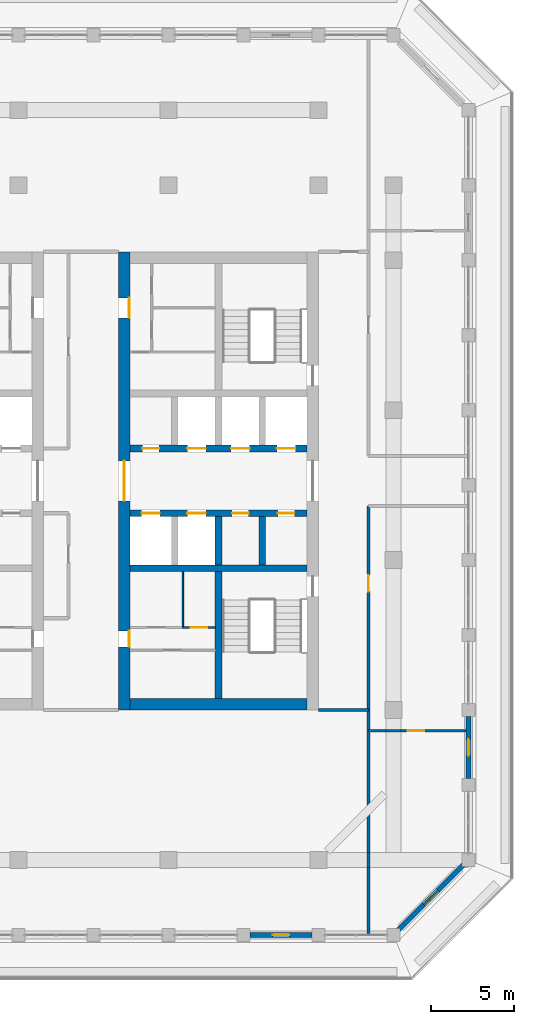
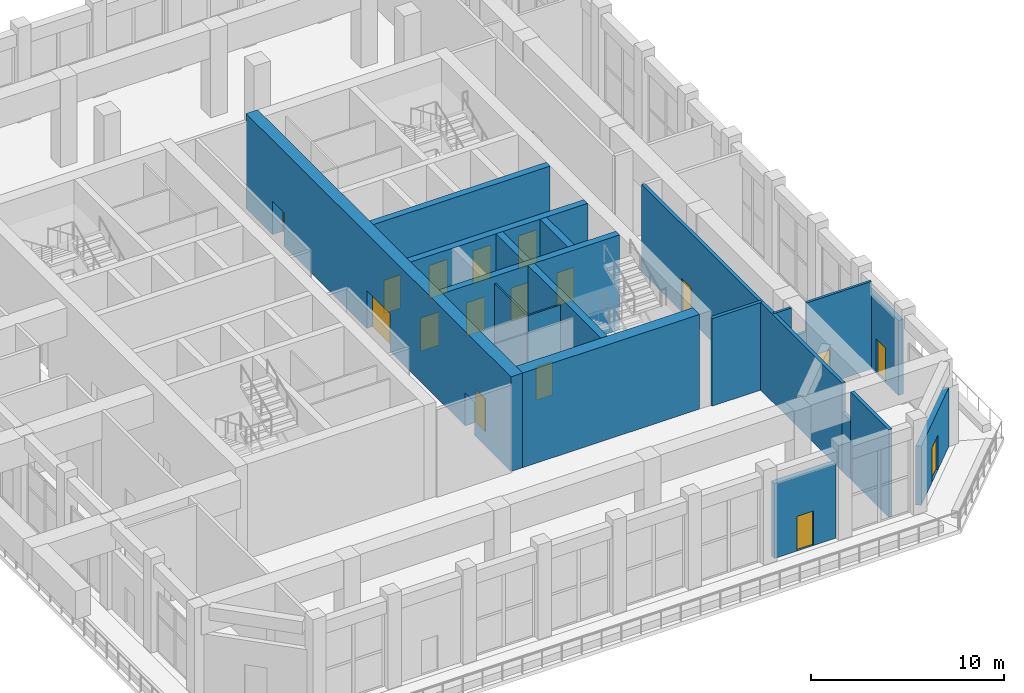
# One storey, part 13 of 25: 20 walls, 17 doors, 17 openings.
"""IFC4 building model written with IfcOpenShell, lengths in metres."""

from ifc_helpers import new_model, si_unit, direction, frame, frame_2d, origin, place, context, subcontext, project, spatial, rectangle, extrude, material, layer, layer_set, type_object, element, fill, save


model = new_model("IFC4")

# Units and contexts
model_context = context("Model", 3, precision=1e-05, world=origin(), true_north=direction((0.0, 1.0)))
body_context = subcontext(model_context, "Body", "Model", "MODEL_VIEW")
ifc_project = project(units=[si_unit("LENGTHUNIT", "METRE"), si_unit("AREAUNIT", "SQUARE_METRE"), si_unit("VOLUMEUNIT", "CUBIC_METRE"), si_unit("PLANEANGLEUNIT", "RADIAN"), si_unit("MASSUNIT", "GRAM", prefix="KILO")], contexts=[model_context])

# Site, building, storey
site_placement = place(None, origin())
site = spatial("IfcSite", under=ifc_project, at=site_placement, CompositionType="ELEMENT")
building_placement = place(site_placement, origin())
building = spatial("IfcBuilding", under=site, at=building_placement, Name="Corbel Stack Research Tower", CompositionType="ELEMENT")
storey_placement = place(building_placement, frame((0.0, 0.0, 260.300048828125)))
storey = spatial("IfcBuildingStorey", under=building, at=storey_placement, Name="L59", CompositionType="ELEMENT", Elevation=260.300048828125)

# Wall
ifc_material_1 = material(Name="Concrete C60/75", Category="concrete")
ifc_layer_1 = layer(ifc_material_1, 0.39990234375)
ifc_layer_set_1 = layer_set([ifc_layer_1], Name="Concrete C60/75")
wall_type_1 = type_object("IfcWallType", Name="CW-400-60", PredefinedType="SHEAR", material=ifc_layer_set_1)
wall_1_placement = place(storey_placement, frame((6.699951171875, -0.5, 0.0), z_axis=(0.0, 0.0, 1.0), x_axis=(1.0, 0.0, 0.0)))
element("IfcWall", 1, at=wall_1_placement, inside=storey, type_object=wall_type_1, Name="East core wall, south row back L59", PredefinedType="SHEAR", context=body_context, shape_type="SweptSolid", body=[
    extrude(rectangle(XDim=10.60009765625, YDim=0.39990234375, at=frame_2d((5.300048828125, 0.0))), origin(), (0.0, 0.0, 1.0), 6.0),
])

# Wall, openings, doors
wall_2_placement = place(storey_placement, frame((6.699951171875, 2.800048828125, 0.0), z_axis=(0.0, 0.0, 1.0), x_axis=(1.0, 0.0, 0.0)))
wall_2 = element("IfcWall", 2, at=wall_2_placement, inside=storey, type_object=wall_type_1, Name="East core wall, lobby south L59", PredefinedType="SHEAR", context=body_context, shape_type="SweptSolid", body=[
    extrude(rectangle(XDim=10.60009765625, YDim=0.39990234375, at=frame_2d((5.300048828125, 0.0))), origin(), (0.0, 0.0, 1.0), 6.0),
])
opening_1_placement = place(wall_2_placement, frame((0.6875, 0.0, 0.0)))
opening_1 = element("IfcOpeningElement", 3, at=opening_1_placement, cuts=wall_2, Name="Opening LD-FS2", PredefinedType="OPENING", context=body_context, shape_type="SweptSolid", body=[
    extrude(rectangle(XDim=1.10009765625, YDim=2.10009765625, at=frame_2d((0.550048828125, 1.050048828125))), frame((0.0, 0.2099609375, 0.0), z_axis=(0.0, -1.0, 0.0), x_axis=(1.0, 0.0, 0.0)), (0.0, 0.0, 1.0), 0.419921875),
])
opening_2_placement = place(wall_2_placement, frame((3.4375, 0.0, 0.0)))
opening_2 = element("IfcOpeningElement", 4, at=opening_2_placement, cuts=wall_2, Name="Opening LD-GL2", PredefinedType="OPENING", context=body_context, shape_type="SweptSolid", body=[
    extrude(rectangle(XDim=1.10009765625, YDim=2.10009765625, at=frame_2d((0.550048828125, 1.050048828125))), frame((0.0, 0.2099609375, 0.0), z_axis=(0.0, -1.0, 0.0), x_axis=(1.0, 0.0, 0.0)), (0.0, 0.0, 1.0), 0.419921875),
])
opening_3_placement = place(wall_2_placement, frame((6.112548828125, 0.0, 0.0)))
opening_3 = element("IfcOpeningElement", 5, at=opening_3_placement, cuts=wall_2, Name="Opening CR-E24-S3", PredefinedType="OPENING", context=body_context, shape_type="SweptSolid", body=[
    extrude(rectangle(XDim=1.0, YDim=2.10009765625, at=frame_2d((0.5, 1.050048828125))), frame((0.0, 0.2099609375, 0.0), z_axis=(0.0, -1.0, 0.0), x_axis=(1.0, 0.0, 0.0)), (0.0, 0.0, 1.0), 0.419921875),
])
opening_4_placement = place(wall_2_placement, frame((8.862548828125, 0.0, 0.0)))
opening_4 = element("IfcOpeningElement", 6, at=opening_4_placement, cuts=wall_2, Name="Opening CR-E24-S4", PredefinedType="OPENING", context=body_context, shape_type="SweptSolid", body=[
    extrude(rectangle(XDim=1.0, YDim=2.10009765625, at=frame_2d((0.5, 1.050048828125))), frame((0.0, 0.2099609375, 0.0), z_axis=(0.0, -1.0, 0.0), x_axis=(1.0, 0.0, 0.0)), (0.0, 0.0, 1.0), 0.419921875),
])
ifc_material_2 = material(Name="Stainless steel landing door", Category="steel")
door_type_1 = type_object("IfcDoorType", Name="Lift landing door 1100 x 2100", OperationType="DOUBLE_DOOR_SLIDING", PredefinedType="DOOR", material=ifc_material_2)
door_1_placement = place(opening_1_placement, origin())
door_1 = element("IfcDoor", 7, at=door_1_placement, inside=storey, type_object=door_type_1, Name="Landing door FS2", OperationType="DOUBLE_DOOR_SLIDING", OverallHeight=2.10009765625, OverallWidth=1.10009765625, PredefinedType="DOOR", context=body_context, shape_type="SweptSolid", body=[
    extrude(rectangle(XDim=1.10009765625, YDim=2.10009765625, at=frame_2d((0.550048828125, 1.050048828125))), frame((0.0, 0.02490234375, 0.0), z_axis=(0.0, -1.0, 0.0), x_axis=(1.0, 0.0, 0.0)), (0.0, 0.0, 1.0), 0.050048828125),
])
fill(opening_1, door_1)
door_2_placement = place(opening_2_placement, origin())
door_2 = element("IfcDoor", 8, at=door_2_placement, inside=storey, type_object=door_type_1, Name="Landing door GL2", OperationType="DOUBLE_DOOR_SLIDING", OverallHeight=2.10009765625, OverallWidth=1.10009765625, PredefinedType="DOOR", context=body_context, shape_type="SweptSolid", body=[
    extrude(rectangle(XDim=1.10009765625, YDim=2.10009765625, at=frame_2d((0.550048828125, 1.050048828125))), frame((0.0, 0.02490234375, 0.0), z_axis=(0.0, -1.0, 0.0), x_axis=(1.0, 0.0, 0.0)), (0.0, 0.0, 1.0), 0.050048828125),
])
fill(opening_2, door_2)
ifc_material_3 = material(Name="Painted steel door", Category="steel")
door_type_2 = type_object("IfcDoorType", Name="Service door 1000 x 2100 FD60 left hand", OperationType="SINGLE_SWING_LEFT", PredefinedType="DOOR", material=ifc_material_3)
door_3_placement = place(opening_3_placement, origin())
door_3 = element("IfcDoor", 9, at=door_3_placement, inside=storey, type_object=door_type_2, Name="Staff WC door E core", OperationType="SINGLE_SWING_LEFT", OverallHeight=2.10009765625, OverallWidth=1.0, PredefinedType="DOOR", context=body_context, shape_type="SweptSolid", body=[
    extrude(rectangle(XDim=1.0, YDim=2.10009765625, at=frame_2d((0.5, 1.050048828125))), frame((0.0, 0.02490234375, 0.0), z_axis=(0.0, -1.0, 0.0), x_axis=(1.0, 0.0, 0.0)), (0.0, 0.0, 1.0), 0.050048828125),
])
fill(opening_3, door_3)
ifc_material_4 = material(Name="Painted steel door", Category="steel")
door_type_3 = type_object("IfcDoorType", Name="Service door 1000 x 2100 FD60 right hand", OperationType="SINGLE_SWING_RIGHT", PredefinedType="DOOR", material=ifc_material_4)
door_4_placement = place(opening_4_placement, origin())
door_4 = element("IfcDoor", 10, at=door_4_placement, inside=storey, type_object=door_type_3, Name="Laboratory consumables store door E core", OperationType="SINGLE_SWING_RIGHT", OverallHeight=2.10009765625, OverallWidth=1.0, PredefinedType="DOOR", context=body_context, shape_type="SweptSolid", body=[
    extrude(rectangle(XDim=1.0, YDim=2.10009765625, at=frame_2d((0.5, 1.050048828125))), frame((0.0, 0.02490234375, 0.0), z_axis=(0.0, -1.0, 0.0), x_axis=(1.0, 0.0, 0.0)), (0.0, 0.0, 1.0), 0.050048828125),
])
fill(opening_4, door_4)

wall_3_placement = place(storey_placement, frame((6.699951171875, 6.699951171875, 0.0), z_axis=(0.0, 0.0, 1.0), x_axis=(1.0, 0.0, 0.0)))
wall_3 = element("IfcWall", 11, at=wall_3_placement, inside=storey, type_object=wall_type_1, Name="East core wall, lobby north L59", PredefinedType="SHEAR", context=body_context, shape_type="SweptSolid", body=[
    extrude(rectangle(XDim=10.60009765625, YDim=0.39990234375, at=frame_2d((5.300048828125, 0.0))), origin(), (0.0, 0.0, 1.0), 6.0),
])
opening_5_placement = place(wall_3_placement, frame((3.4375, 0.0, 0.0)))
opening_5 = element("IfcOpeningElement", 12, at=opening_5_placement, cuts=wall_3, Name="Opening LD-HR4", PredefinedType="OPENING", context=body_context, shape_type="SweptSolid", body=[
    extrude(rectangle(XDim=1.10009765625, YDim=2.10009765625, at=frame_2d((0.550048828125, 1.050048828125))), frame((0.0, 0.2099609375, 0.0), z_axis=(0.0, -1.0, 0.0), x_axis=(1.0, 0.0, 0.0)), (0.0, 0.0, 1.0), 0.419921875),
])
opening_6_placement = place(wall_3_placement, frame((6.0625, 0.0, 0.0)))
opening_6 = element("IfcOpeningElement", 13, at=opening_6_placement, cuts=wall_3, Name="Opening LD-HR5", PredefinedType="OPENING", context=body_context, shape_type="SweptSolid", body=[
    extrude(rectangle(XDim=1.10009765625, YDim=2.10009765625, at=frame_2d((0.550048828125, 1.050048828125))), frame((0.0, 0.2099609375, 0.0), z_axis=(0.0, -1.0, 0.0), x_axis=(1.0, 0.0, 0.0)), (0.0, 0.0, 1.0), 0.419921875),
])
opening_7_placement = place(wall_3_placement, frame((8.8125, 0.0, 0.0)))
opening_7 = element("IfcOpeningElement", 14, at=opening_7_placement, cuts=wall_3, Name="Opening LD-HR6", PredefinedType="OPENING", context=body_context, shape_type="SweptSolid", body=[
    extrude(rectangle(XDim=1.10009765625, YDim=2.10009765625, at=frame_2d((0.550048828125, 1.050048828125))), frame((0.0, 0.2099609375, 0.0), z_axis=(0.0, -1.0, 0.0), x_axis=(1.0, 0.0, 0.0)), (0.0, 0.0, 1.0), 0.419921875),
])
opening_8_placement = place(wall_3_placement, frame((0.737548828125, 0.0, 0.0)))
opening_8 = element("IfcOpeningElement", 15, at=opening_8_placement, cuts=wall_3, Name="Opening CR-E24-N1", PredefinedType="OPENING", context=body_context, shape_type="SweptSolid", body=[
    extrude(rectangle(XDim=1.0, YDim=2.10009765625, at=frame_2d((0.5, 1.050048828125))), frame((0.0, 0.2099609375, 0.0), z_axis=(0.0, -1.0, 0.0), x_axis=(1.0, 0.0, 0.0)), (0.0, 0.0, 1.0), 0.419921875),
])
door_5_placement = place(opening_5_placement, origin())
door_5 = element("IfcDoor", 16, at=door_5_placement, inside=storey, type_object=door_type_1, Name="Landing door HR4", OperationType="DOUBLE_DOOR_SLIDING", OverallHeight=2.10009765625, OverallWidth=1.10009765625, PredefinedType="DOOR", context=body_context, shape_type="SweptSolid", body=[
    extrude(rectangle(XDim=1.10009765625, YDim=2.10009765625, at=frame_2d((0.550048828125, 1.050048828125))), frame((0.0, 0.02490234375, 0.0), z_axis=(0.0, -1.0, 0.0), x_axis=(1.0, 0.0, 0.0)), (0.0, 0.0, 1.0), 0.050048828125),
])
fill(opening_5, door_5)
door_6_placement = place(opening_6_placement, origin())
door_6 = element("IfcDoor", 17, at=door_6_placement, inside=storey, type_object=door_type_1, Name="Landing door HR5", OperationType="DOUBLE_DOOR_SLIDING", OverallHeight=2.10009765625, OverallWidth=1.10009765625, PredefinedType="DOOR", context=body_context, shape_type="SweptSolid", body=[
    extrude(rectangle(XDim=1.10009765625, YDim=2.10009765625, at=frame_2d((0.550048828125, 1.050048828125))), frame((0.0, 0.02490234375, 0.0), z_axis=(0.0, -1.0, 0.0), x_axis=(1.0, 0.0, 0.0)), (0.0, 0.0, 1.0), 0.050048828125),
])
fill(opening_6, door_6)
door_7_placement = place(opening_7_placement, origin())
door_7 = element("IfcDoor", 18, at=door_7_placement, inside=storey, type_object=door_type_1, Name="Landing door HR6", OperationType="DOUBLE_DOOR_SLIDING", OverallHeight=2.10009765625, OverallWidth=1.10009765625, PredefinedType="DOOR", context=body_context, shape_type="SweptSolid", body=[
    extrude(rectangle(XDim=1.10009765625, YDim=2.10009765625, at=frame_2d((0.550048828125, 1.050048828125))), frame((0.0, 0.02490234375, 0.0), z_axis=(0.0, -1.0, 0.0), x_axis=(1.0, 0.0, 0.0)), (0.0, 0.0, 1.0), 0.050048828125),
])
fill(opening_7, door_7)
door_8_placement = place(opening_8_placement, origin())
door_8 = element("IfcDoor", 19, at=door_8_placement, inside=storey, type_object=door_type_2, Name="Cleaner's store door E core", OperationType="SINGLE_SWING_LEFT", OverallHeight=2.10009765625, OverallWidth=1.0, PredefinedType="DOOR", context=body_context, shape_type="SweptSolid", body=[
    extrude(rectangle(XDim=1.0, YDim=2.10009765625, at=frame_2d((0.5, 1.050048828125))), frame((0.0, 0.02490234375, 0.0), z_axis=(0.0, -1.0, 0.0), x_axis=(1.0, 0.0, 0.0)), (0.0, 0.0, 1.0), 0.050048828125),
])
fill(opening_8, door_8)

# Walls
for number, where, z_axis, x_axis, name in (
    (20, (12.0, -0.300048828125, 0.0), (0.0, 0.0, 1.0), (0.0, 1.0, 0.0), "East core wall, south shaft 2 L59"),
    (21, (14.625, -0.300048828125, 0.0), (0.0, 0.0, 1.0), (0.0, 1.0, 0.0), "East core wall, south shaft 3 L59"),
):
    element("IfcWall", number, at=place(storey_placement, frame(where, z_axis=z_axis, x_axis=x_axis)), inside=storey, type_object=wall_type_1, Name=name, PredefinedType="SHEAR", context=body_context, shape_type="SweptSolid", body=[
        extrude(rectangle(XDim=2.900146484375, YDim=0.39990234375, at=frame_2d((1.4501953125, 0.0))), origin(), (0.0, 0.0, 1.0), 6.0),
    ])
wall_4_placement = place(storey_placement, frame((12.0, -8.300048828125, 0.0), z_axis=(0.0, 0.0, 1.0), x_axis=(0.0, 1.0, 0.0)))
element("IfcWall", 22, at=wall_4_placement, inside=storey, type_object=wall_type_1, Name="East core wall, south stair and WC L59", PredefinedType="SHEAR", context=body_context, shape_type="SweptSolid", body=[
    extrude(rectangle(XDim=7.60009765625, YDim=0.39990234375, at=frame_2d((3.800048828125, 0.0))), origin(), (0.0, 0.0, 1.0), 6.0),
])

# Wall, openings, doors
ifc_material_5 = material(Name="Concrete C60/75", Category="concrete")
ifc_layer_2 = layer(ifc_material_5, 0.699951171875)
ifc_layer_set_2 = layer_set([ifc_layer_2], Name="Concrete C60/75")
wall_type_2 = type_object("IfcWallType", Name="CW-700-60", PredefinedType="SHEAR", material=ifc_layer_set_2)
wall_5_placement = place(storey_placement, frame((6.35009765625, -9.0, 0.0), z_axis=(0.0, 0.0, 1.0), x_axis=(0.0, 1.0, 0.0)))
wall_5 = element("IfcWall", 23, at=wall_5_placement, inside=storey, type_object=wall_type_2, Name="East core wall, west face L59", PredefinedType="SHEAR", context=body_context, shape_type="SweptSolid", body=[
    extrude(rectangle(XDim=27.5, YDim=0.699951171875, at=frame_2d((13.75, 0.0))), origin(), (0.0, 0.0, 1.0), 6.0),
])
opening_9_placement = place(wall_5_placement, frame((12.550048828125, 0.0, 0.0)))
opening_9 = element("IfcOpeningElement", 24, at=opening_9_placement, cuts=wall_5, Name="Opening CD-E-W", PredefinedType="OPENING", context=body_context, shape_type="SweptSolid", body=[
    extrude(rectangle(XDim=2.39990234375, YDim=2.39990234375, at=frame_2d((1.199951171875, 1.199951171875))), frame((0.0, 0.35986328125, 0.0), z_axis=(0.0, -1.0, 0.0), x_axis=(1.0, 0.0, 0.0)), (0.0, 0.0, 1.0), 0.719970703125),
])
opening_10_placement = place(wall_5_placement, frame((3.7880859375, 0.0, 0.0)))
opening_10 = element("IfcOpeningElement", 25, at=opening_10_placement, cuts=wall_5, Name="Opening CR-E24-W1-968", PredefinedType="OPENING", context=body_context, shape_type="SweptSolid", body=[
    extrude(rectangle(XDim=0.968017578125, YDim=2.10009765625, at=frame_2d((0.48388671875, 1.050048828125))), frame((0.0, 0.35986328125, 0.0), z_axis=(0.0, -1.0, 0.0), x_axis=(1.0, 0.0, 0.0)), (0.0, 0.0, 1.0), 0.719970703125),
])
opening_11_placement = place(wall_5_placement, frame((23.5400390625, 0.0, 0.0)))
opening_11 = element("IfcOpeningElement", 26, at=opening_11_placement, cuts=wall_5, Name="Opening CR-E24-R2-1200", PredefinedType="OPENING", context=body_context, shape_type="SweptSolid", body=[
    extrude(rectangle(XDim=1.199951171875, YDim=2.10009765625, at=frame_2d((0.60009765625, 1.050048828125))), frame((0.0, 0.35986328125, 0.0), z_axis=(0.0, -1.0, 0.0), x_axis=(1.0, 0.0, 0.0)), (0.0, 0.0, 1.0), 0.719970703125),
])
ifc_material_6 = material(Name="Painted steel fire door", Category="steel")
door_type_4 = type_object("IfcDoorType", Name="Lobby door pair 2400 x 2400 FD30S", OperationType="DOUBLE_DOOR_DOUBLE_SWING", PredefinedType="DOOR", material=ifc_material_6)
door_9_placement = place(opening_9_placement, origin())
door_9 = element("IfcDoor", 27, at=door_9_placement, inside=storey, type_object=door_type_4, Name="Lift lobby door E core W", OperationType="DOUBLE_DOOR_DOUBLE_SWING", OverallHeight=2.39990234375, OverallWidth=2.39990234375, PredefinedType="DOOR", context=body_context, shape_type="SweptSolid", body=[
    extrude(rectangle(XDim=2.39990234375, YDim=2.39990234375, at=frame_2d((1.199951171875, 1.199951171875))), frame((0.0, 0.02490234375, 0.0), z_axis=(0.0, -1.0, 0.0), x_axis=(1.0, 0.0, 0.0)), (0.0, 0.0, 1.0), 0.050048828125),
])
fill(opening_9, door_9)
ifc_material_7 = material(Name="Painted steel door", Category="steel")
door_type_5 = type_object("IfcDoorType", Name="Service door 1200 x 2100 FD30 left hand", OperationType="SINGLE_SWING_LEFT", PredefinedType="DOOR", material=ifc_material_7)
door_10_placement = place(opening_11_placement, origin())
door_10 = element("IfcDoor", 28, at=door_10_placement, inside=storey, type_object=door_type_5, Name="Service passage door E core", OperationType="SINGLE_SWING_LEFT", OverallHeight=2.10009765625, OverallWidth=1.199951171875, PredefinedType="DOOR", context=body_context, shape_type="SweptSolid", body=[
    extrude(rectangle(XDim=1.199951171875, YDim=2.10009765625, at=frame_2d((0.60009765625, 1.050048828125))), frame((0.0, -0.27490234375, 0.0), z_axis=(0.0, -1.0, 0.0), x_axis=(1.0, 0.0, 0.0)), (0.0, 0.0, 1.0), 0.050048828125),
])
fill(opening_11, door_10)
ifc_material_8 = material(Name="Painted timber door", Category="wood")
door_type_6 = type_object("IfcDoorType", Name="WC door 968 x 2100 right hand", OperationType="SINGLE_SWING_RIGHT", PredefinedType="DOOR", material=ifc_material_8)
door_11_placement = place(opening_10_placement, origin())
door_11 = element("IfcDoor", 29, at=door_11_placement, inside=storey, type_object=door_type_6, Name="WC lobby door E core", OperationType="SINGLE_SWING_RIGHT", OverallHeight=2.10009765625, OverallWidth=0.968017578125, PredefinedType="DOOR", context=body_context, shape_type="SweptSolid", body=[
    extrude(rectangle(XDim=0.968017578125, YDim=2.10009765625, at=frame_2d((0.48388671875, 1.050048828125))), frame((0.0, -0.27490234375, 0.0), z_axis=(0.0, -1.0, 0.0), x_axis=(1.0, 0.0, 0.0)), (0.0, 0.0, 1.0), 0.050048828125),
])
fill(opening_10, door_11)

# Wall
wall_6_placement = place(storey_placement, frame((6.699951171875, -8.64990234375, 0.0), z_axis=(0.0, 0.0, 1.0), x_axis=(1.0, 0.0, 0.0)))
element("IfcWall", 30, at=wall_6_placement, inside=storey, type_object=wall_type_2, Name="East core wall, south end L59", PredefinedType="SHEAR", context=body_context, shape_type="SweptSolid", body=[
    extrude(rectangle(XDim=10.60009765625, YDim=0.699951171875, at=frame_2d((5.300048828125, 0.0))), origin(), (0.0, 0.0, 1.0), 6.0),
])

# Wall, opening, door
ifc_material_9 = material(Name="Gypsum board")
ifc_layer_3 = layer(ifc_material_9, 0.10009765625)
ifc_layer_set_3 = layer_set([ifc_layer_3], Name="Gypsum board")
wall_type_3 = type_object("IfcWallType", Name="Core partition 100", PredefinedType="PARTITIONING", material=ifc_layer_set_3)
wall_7_placement = place(storey_placement, frame((9.862060546875, -4.0439453125, 0.0), z_axis=(0.0, 0.0, 1.0), x_axis=(1.0, 0.0, 0.0)))
wall_7 = element("IfcWall", 31, at=wall_7_placement, inside=storey, type_object=wall_type_3, Name="Core partition E", PredefinedType="PARTITIONING", context=body_context, shape_type="SweptSolid", body=[
    extrude(rectangle(XDim=1.93798828125, YDim=0.10009765625, at=frame_2d((0.968994140625, 0.0))), origin(), (0.0, 0.0, 1.0), 5.550048828125),
])
opening_12_placement = place(wall_7_placement, frame((0.468994140625, 0.0, 0.0)))
opening_12 = element("IfcOpeningElement", 32, at=opening_12_placement, cuts=wall_7, Name="Opening CR-E24-W4-1000", PredefinedType="OPENING", context=body_context, shape_type="SweptSolid", body=[
    extrude(rectangle(XDim=1.0, YDim=2.10009765625, at=frame_2d((0.5, 1.050048828125))), frame((0.0, 0.06005859375, 0.0), z_axis=(0.0, -1.0, 0.0), x_axis=(1.0, 0.0, 0.0)), (0.0, 0.0, 1.0), 0.1201171875),
])
ifc_material_10 = material(Name="Painted timber door", Category="wood")
door_type_7 = type_object("IfcDoorType", Name="WC door 1000 x 2100 left hand", OperationType="SINGLE_SWING_LEFT", PredefinedType="DOOR", material=ifc_material_10)
door_12_placement = place(opening_12_placement, origin())
door_12 = element("IfcDoor", 33, at=door_12_placement, inside=storey, type_object=door_type_7, Name="Accessible WC door E core", OperationType="SINGLE_SWING_LEFT", OverallHeight=2.10009765625, OverallWidth=1.0, PredefinedType="DOOR", context=body_context, shape_type="SweptSolid", body=[
    extrude(rectangle(XDim=1.0, YDim=2.10009765625, at=frame_2d((0.5, 1.050048828125))), frame((0.0, 0.02490234375, 0.0), z_axis=(0.0, -1.0, 0.0), x_axis=(1.0, 0.0, 0.0)), (0.0, 0.0, 1.0), 0.050048828125),
])
fill(opening_12, door_12)

# Walls
wall_8_placement = place(storey_placement, frame((9.862060546875, -4.0439453125, 0.0), z_axis=(0.0, 0.0, 1.0), x_axis=(0.0, 1.0, 0.0)))
element("IfcWall", 34, at=wall_8_placement, inside=storey, type_object=wall_type_3, Name="Core partition E", PredefinedType="PARTITIONING", context=body_context, shape_type="SweptSolid", body=[
    extrude(rectangle(XDim=3.343994140625, YDim=0.10009765625, at=frame_2d((1.671875, 0.0))), origin(), (0.0, 0.0, 1.0), 5.550048828125),
])
ifc_material_11 = material(Name="Fire-rated gypsum board partition on steel studs", Category="steel")
ifc_layer_4 = layer(ifc_material_11, 0.199951171875)
ifc_layer_set_4 = layer_set([ifc_layer_4], Name="Fire-rated gypsum board partition on steel studs")
wall_type_4 = type_object("IfcWallType", Name="Fire-rated partition 200 EI 60", PredefinedType="PARTITIONING", material=ifc_layer_set_4)
wall_9_placement = place(storey_placement, frame((21.0, -22.39990234375, 0.0), z_axis=(0.0, 0.0, 1.0), x_axis=(0.0, 1.0, 0.0)))
element("IfcWall", 35, at=wall_9_placement, inside=storey, type_object=wall_type_4, Name="Partition L59-017", PredefinedType="PARTITIONING", context=body_context, shape_type="SweptSolid", body=[
    extrude(rectangle(XDim=3.949951171875, YDim=0.199951171875, at=frame_2d((1.97509765625, 0.0))), origin(), (0.0, 0.0, 1.0), 5.550048828125),
])
wall_10_placement = place(storey_placement, frame((21.0, -18.449951171875, 0.0), z_axis=(0.0, 0.0, 1.0), x_axis=(0.0, 1.0, 0.0)))
element("IfcWall", 36, at=wall_10_placement, inside=storey, type_object=wall_type_4, Name="Partition L59-018", PredefinedType="PARTITIONING", context=body_context, shape_type="SweptSolid", body=[
    extrude(rectangle(XDim=0.89990234375, YDim=0.199951171875, at=frame_2d((0.449951171875, 0.0))), origin(), (0.0, 0.0, 1.0), 3.719970703125),
])

# Wall, opening, door
wall_11_placement = place(storey_placement, frame((21.0, 3.25, 0.0), z_axis=(0.0, 0.0, 1.0), x_axis=(0.0, -1.0, 0.0)))
wall_11 = element("IfcWall", 37, at=wall_11_placement, inside=storey, type_object=wall_type_4, Name="Partition L59-019", PredefinedType="PARTITIONING", context=body_context, shape_type="SweptSolid", body=[
    extrude(rectangle(XDim=20.800048828125, YDim=0.199951171875, at=frame_2d((10.39990234375, 0.0))), origin(), (0.0, 0.0, 1.0), 5.550048828125),
])
opening_13_placement = place(wall_11_placement, frame((4.14990234375, 0.0, 0.0)))
opening_13 = element("IfcOpeningElement", 38, at=opening_13_placement, cuts=wall_11, Name="Opening B7AM-011", PredefinedType="OPENING", context=body_context, shape_type="SweptSolid", body=[
    extrude(rectangle(XDim=1.0, YDim=2.10009765625, at=frame_2d((0.5, 1.050048828125))), frame((0.0, 0.10986328125, 0.0), z_axis=(0.0, -1.0, 0.0), x_axis=(1.0, 0.0, 0.0)), (0.0, 0.0, 1.0), 0.219970703125),
])
ifc_material_12 = material(Name="Painted steel fire door", Category="steel")
door_type_8 = type_object("IfcDoorType", Name="Fire door FD30S 1000 x 2100", OperationType="NOTDEFINED", PredefinedType="DOOR", material=ifc_material_12)
door_13_placement = place(opening_13_placement, origin())
door_13 = element("IfcDoor", 39, at=door_13_placement, inside=storey, type_object=door_type_8, Name="Door B7AM-011", OperationType="SINGLE_SWING_LEFT", OverallHeight=2.10009765625, OverallWidth=1.0, PredefinedType="DOOR", context=body_context, shape_type="SweptSolid", body=[
    extrude(rectangle(XDim=1.0, YDim=2.10009765625, at=frame_2d((0.5, 1.050048828125))), frame((0.0, 0.02490234375, 0.0), z_axis=(0.0, -1.0, 0.0), x_axis=(1.0, 0.0, 0.0)), (0.0, 0.0, 1.0), 0.050048828125),
])
fill(opening_13, door_13)

# Walls
wall_12_placement = place(storey_placement, frame((18.0, -9.0, 0.0), z_axis=(0.0, 0.0, 1.0), x_axis=(1.0, 0.0, 0.0)))
element("IfcWall", 40, at=wall_12_placement, inside=storey, type_object=wall_type_4, Name="Partition L59-027", PredefinedType="PARTITIONING", context=body_context, shape_type="SweptSolid", body=[
    extrude(rectangle(XDim=3.0, YDim=0.199951171875, at=frame_2d((1.5, 0.0))), origin(), (0.0, 0.0, 1.0), 5.550048828125),
])
ifc_material_13 = material(Name="Gypsum board partition on steel studs", Category="steel")
ifc_layer_5 = layer(ifc_material_13, 0.14990234375)
ifc_layer_set_5 = layer_set([ifc_layer_5], Name="Gypsum board partition on steel studs")
wall_type_5 = type_object("IfcWallType", Name="Partition 150", PredefinedType="PARTITIONING", material=ifc_layer_set_5)
wall_13_placement = place(storey_placement, frame((21.0, -10.25, 0.0), z_axis=(0.0, 0.0, 1.0), x_axis=(1.0, 0.0, 0.0)))
element("IfcWall", 41, at=wall_13_placement, inside=storey, type_object=wall_type_5, Name="Partition L59-022", PredefinedType="PARTITIONING", context=body_context, shape_type="SweptSolid", body=[
    extrude(rectangle(XDim=1.050048828125, YDim=0.14990234375, at=frame_2d((0.52490234375, 0.0))), origin(), (0.0, 0.0, 1.0), 5.550048828125),
])
wall_14_placement = place(storey_placement, frame((22.050048828125, -10.25, 0.0), z_axis=(0.0, 0.0, 1.0), x_axis=(1.0, 0.0, 0.0)))
element("IfcWall", 42, at=wall_14_placement, inside=storey, type_object=wall_type_5, Name="Partition L59-023", PredefinedType="PARTITIONING", context=body_context, shape_type="SweptSolid", body=[
    extrude(rectangle(XDim=0.89990234375, YDim=0.14990234375, at=frame_2d((0.449951171875, 0.0))), origin(), (0.0, 0.0, 1.0), 3.719970703125),
])

# Wall, opening, door
wall_15_placement = place(storey_placement, frame((26.85009765625, -10.25, 0.0), z_axis=(0.0, 0.0, 1.0), x_axis=(-1.0, 0.0, 0.0)))
wall_15 = element("IfcWall", 43, at=wall_15_placement, inside=storey, type_object=wall_type_5, Name="Partition L59-024", PredefinedType="PARTITIONING", context=body_context, shape_type="SweptSolid", body=[
    extrude(rectangle(XDim=3.900146484375, YDim=0.14990234375, at=frame_2d((1.9501953125, 0.0))), origin(), (0.0, 0.0, 1.0), 5.550048828125),
])
opening_14_placement = place(wall_15_placement, frame((2.5, 0.0, 0.0)))
opening_14 = element("IfcOpeningElement", 44, at=opening_14_placement, cuts=wall_15, Name="Opening B7AM-004", PredefinedType="OPENING", context=body_context, shape_type="SweptSolid", body=[
    extrude(rectangle(XDim=1.0, YDim=2.10009765625, at=frame_2d((0.5, 1.050048828125))), frame((0.0, 0.0849609375, 0.0), z_axis=(0.0, -1.0, 0.0), x_axis=(1.0, 0.0, 0.0)), (0.0, 0.0, 1.0), 0.169921875),
])
ifc_material_14 = material(Name="Painted timber door", Category="wood")
door_type_9 = type_object("IfcDoorType", Name="Single door 1000 x 2100", OperationType="NOTDEFINED", PredefinedType="DOOR", material=ifc_material_14)
door_14_placement = place(opening_14_placement, origin())
door_14 = element("IfcDoor", 45, at=door_14_placement, inside=storey, type_object=door_type_9, Name="Door B7AM-004", OperationType="SINGLE_SWING_RIGHT", OverallHeight=2.10009765625, OverallWidth=1.0, PredefinedType="DOOR", context=body_context, shape_type="SweptSolid", body=[
    extrude(rectangle(XDim=1.0, YDim=2.10009765625, at=frame_2d((0.5, 1.050048828125))), frame((0.0, 0.02490234375, 0.0), z_axis=(0.0, -1.0, 0.0), x_axis=(1.0, 0.0, 0.0)), (0.0, 0.0, 1.0), 0.050048828125),
])
fill(opening_14, door_14)

ifc_material_15 = material(Name="Concrete C45/55", Category="concrete")
ifc_layer_6 = layer(ifc_material_15, 0.300048828125)
ifc_layer_set_6 = layer_set([ifc_layer_6], Name="Concrete C45/55")
wall_type_6 = type_object("IfcWallType", Name="Terracotta-faced concrete wall 300", PredefinedType="SOLIDWALL", material=ifc_layer_set_6)
wall_16_placement = place(storey_placement, frame((17.60009765625, -22.5, 0.0), z_axis=(0.0, 0.0, 1.0), x_axis=(-1.0, 0.0, 0.0)))
wall_16 = element("IfcWall", 46, at=wall_16_placement, inside=storey, type_object=wall_type_6, Name="Facade wall L59 S07", PredefinedType="SOLIDWALL", context=body_context, shape_type="SweptSolid", body=[
    extrude(rectangle(XDim=3.7001953125, YDim=0.300048828125, at=frame_2d((1.85009765625, 0.0))), origin(), (0.0, 0.0, 1.0), 4.75),
])
opening_15_placement = place(wall_16_placement, frame((1.35009765625, 0.0, 0.0)))
opening_15 = element("IfcOpeningElement", 47, at=opening_15_placement, cuts=wall_16, Name="Opening L59-B02", PredefinedType="OPENING", context=body_context, shape_type="SweptSolid", body=[
    extrude(rectangle(XDim=1.0, YDim=2.199951171875, at=frame_2d((0.5, 1.10009765625))), frame((0.0, 0.159912109375, 0.0), z_axis=(0.0, -1.0, 0.0), x_axis=(1.0, 0.0, 0.0)), (0.0, 0.0, 1.0), 0.320068359375),
])
ifc_material_16 = material(Name="Aluminium frame, clear double glazing", Category="aluminium")
door_type_10 = type_object("IfcDoorType", Name="Balcony door BD1 1000 x 2200", OperationType="NOTDEFINED", PredefinedType="DOOR", material=ifc_material_16)
door_15_placement = place(opening_15_placement, origin())
door_15 = element("IfcDoor", 48, at=door_15_placement, inside=storey, type_object=door_type_10, Name="Balcony door L59-B02", OperationType="SINGLE_SWING_RIGHT", OverallHeight=2.199951171875, OverallWidth=1.0, PredefinedType="DOOR", context=body_context, shape_type="SweptSolid", body=[
    extrude(rectangle(XDim=1.0, YDim=2.199951171875, at=frame_2d((0.5, 1.10009765625))), frame((0.0, 0.02490234375, 0.0), z_axis=(0.0, -1.0, 0.0), x_axis=(1.0, 0.0, 0.0)), (0.0, 0.0, 1.0), 0.050048828125),
])
fill(opening_15, door_15)

wall_17_placement = place(storey_placement, frame((26.7060546875, -18.2939453125, 0.0), z_axis=(0.0, 0.0, 1.0), x_axis=(-0.707106781187, -0.707106781187, 0.0)))
wall_17 = element("IfcWall", 49, at=wall_17_placement, inside=storey, type_object=wall_type_6, Name="Facade wall L59 SE01", PredefinedType="SOLIDWALL", context=body_context, shape_type="SweptSolid", body=[
    extrude(rectangle(XDim=5.532470703125, YDim=0.300048828125, at=frame_2d((2.76611328125, 0.0))), origin(), (0.0, 0.0, 1.0), 3.75),
])
opening_16_placement = place(wall_17_placement, frame((2.166259765625, 0.0, 0.0)))
opening_16 = element("IfcOpeningElement", 50, at=opening_16_placement, cuts=wall_17, Name="Opening L59-B03", PredefinedType="OPENING", context=body_context, shape_type="SweptSolid", body=[
    extrude(rectangle(XDim=1.199951171875, YDim=2.199951171875, at=frame_2d((0.60009765625, 1.10009765625))), frame((0.0, 0.159912109375, 0.0), z_axis=(0.0, -1.0, 0.0), x_axis=(1.0, 0.0, 0.0)), (0.0, 0.0, 1.0), 0.320068359375),
])
ifc_material_17 = material(Name="Aluminium frame, clear double glazing", Category="aluminium")
door_type_11 = type_object("IfcDoorType", Name="Balcony door BD2 1200 x 2200", OperationType="NOTDEFINED", PredefinedType="DOOR", material=ifc_material_17)
door_16_placement = place(opening_16_placement, origin())
door_16 = element("IfcDoor", 51, at=door_16_placement, inside=storey, type_object=door_type_11, Name="Balcony door L59-B03", OperationType="SINGLE_SWING_RIGHT", OverallHeight=2.199951171875, OverallWidth=1.199951171875, PredefinedType="DOOR", context=body_context, shape_type="SweptSolid", body=[
    extrude(rectangle(XDim=1.199951171875, YDim=2.199951171875, at=frame_2d((0.60009765625, 1.10009765625))), frame((0.0, 0.02490234375, 0.0), z_axis=(0.0, -1.0, 0.0), x_axis=(1.0, 0.0, 0.0)), (0.0, 0.0, 1.0), 0.050048828125),
])
fill(opening_16, door_16)

wall_18_placement = place(storey_placement, frame((27.0, -9.39990234375, 0.0), z_axis=(0.0, 0.0, 1.0), x_axis=(0.0, -1.0, 0.0)))
wall_18 = element("IfcWall", 52, at=wall_18_placement, inside=storey, type_object=wall_type_6, Name="Facade wall L59 E02", PredefinedType="SOLIDWALL", context=body_context, shape_type="SweptSolid", body=[
    extrude(rectangle(XDim=3.7001953125, YDim=0.300048828125, at=frame_2d((1.85009765625, 0.0))), origin(), (0.0, 0.0, 1.0), 4.75),
])
opening_17_placement = place(wall_18_placement, frame((1.35009765625, 0.0, 0.0)))
opening_17 = element("IfcOpeningElement", 53, at=opening_17_placement, cuts=wall_18, Name="Opening L59-B04", PredefinedType="OPENING", context=body_context, shape_type="SweptSolid", body=[
    extrude(rectangle(XDim=1.0, YDim=2.199951171875, at=frame_2d((0.5, 1.10009765625))), frame((0.0, 0.159912109375, 0.0), z_axis=(0.0, -1.0, 0.0), x_axis=(1.0, 0.0, 0.0)), (0.0, 0.0, 1.0), 0.320068359375),
])
door_17_placement = place(opening_17_placement, origin())
door_17 = element("IfcDoor", 54, at=door_17_placement, inside=storey, type_object=door_type_10, Name="Balcony door L59-B04", OperationType="SINGLE_SWING_LEFT", OverallHeight=2.199951171875, OverallWidth=1.0, PredefinedType="DOOR", context=body_context, shape_type="SweptSolid", body=[
    extrude(rectangle(XDim=1.0, YDim=2.199951171875, at=frame_2d((0.5, 1.10009765625))), frame((0.0, 0.02490234375, 0.0), z_axis=(0.0, -1.0, 0.0), x_axis=(1.0, 0.0, 0.0)), (0.0, 0.0, 1.0), 0.050048828125),
])
fill(opening_17, door_17)

save(model, "model.ifc")
